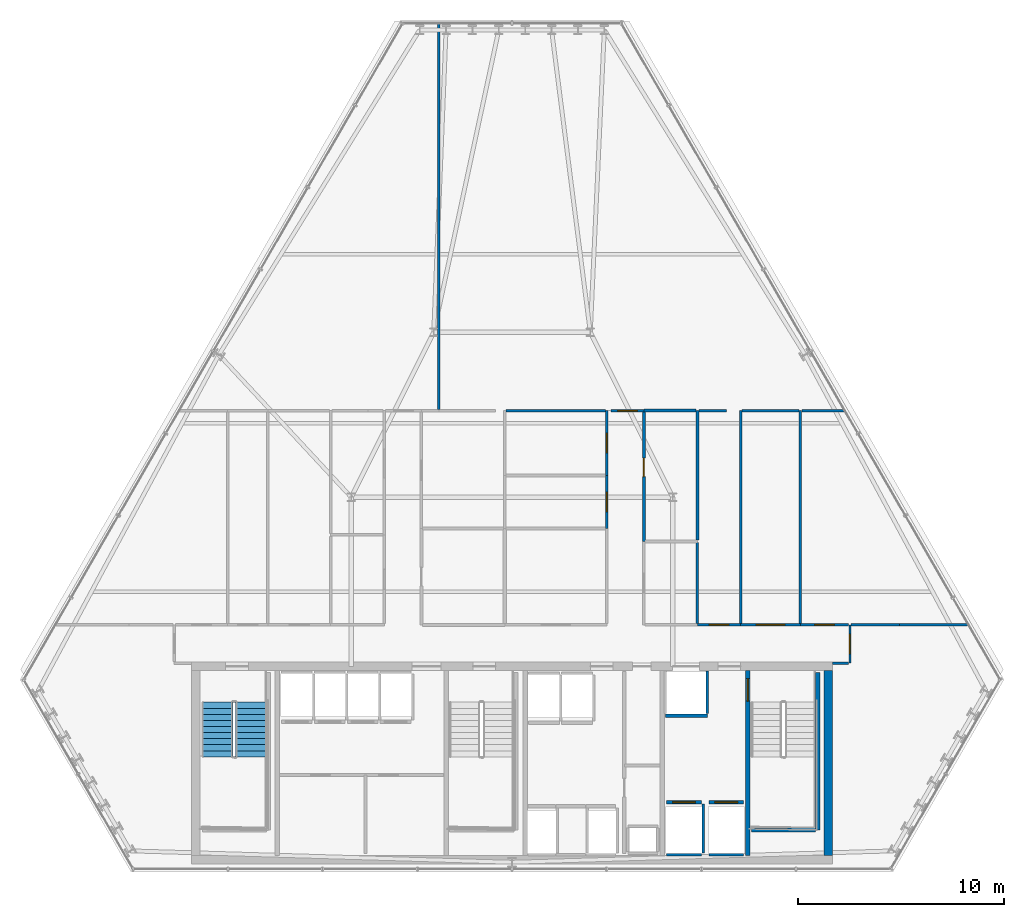
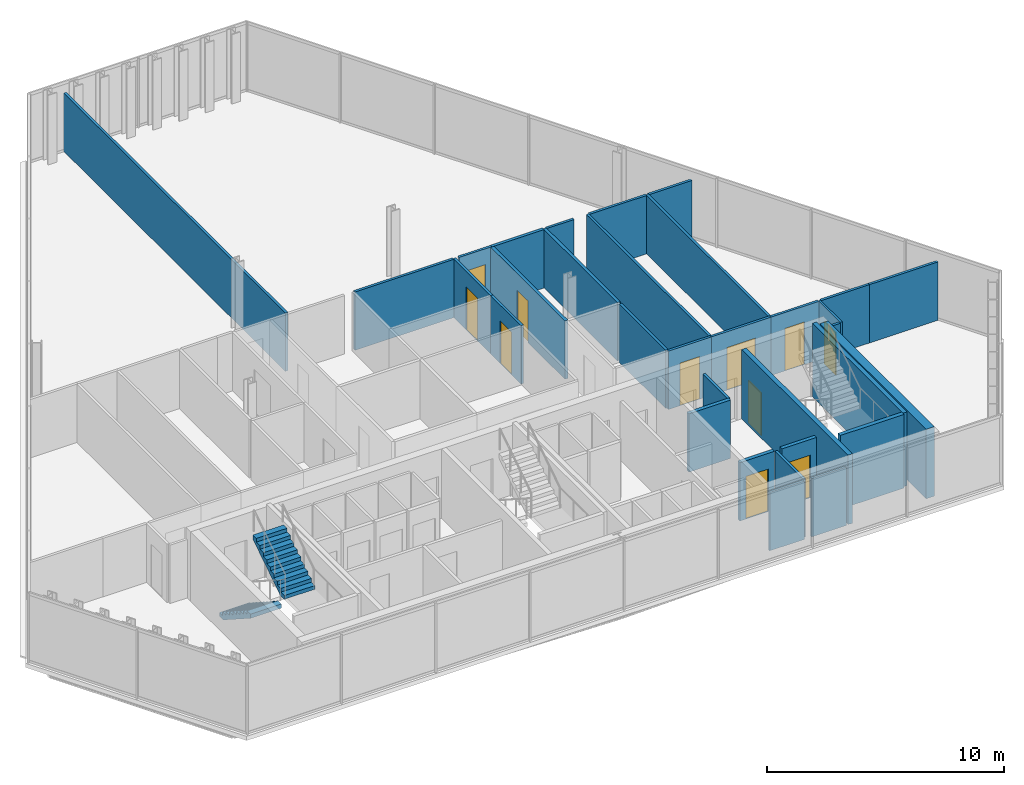
# One storey, part 29 of 33: 32 walls, 11 doors, 2 stair flights, 11 openings, 1 element without a shape of its own.
"""IFC4 building model written with IfcOpenShell, lengths in metres."""

from ifc_helpers import new_model, si_unit, direction, frame, frame_2d, origin, place, context, subcontext, project, spatial, polyline, rectangle, outline, extrude, material, layer, layer_set, type_object, element, fill, aggregate, save


model = new_model("IFC4")

# Units and contexts
model_context = context("Model", 3, precision=1e-05, world=origin(), true_north=direction((0.0, 1.0)))
body_context = subcontext(model_context, "Body", "Model", "MODEL_VIEW")
ifc_project = project(units=[si_unit("LENGTHUNIT", "METRE"), si_unit("AREAUNIT", "SQUARE_METRE"), si_unit("VOLUMEUNIT", "CUBIC_METRE"), si_unit("PLANEANGLEUNIT", "RADIAN"), si_unit("MASSUNIT", "GRAM", prefix="KILO")], contexts=[model_context])

# Site, building, storey
site_placement = place(None, origin())
site = spatial("IfcSite", under=ifc_project, at=site_placement, CompositionType="ELEMENT")
building_placement = place(site_placement, origin())
building = spatial("IfcBuilding", under=site, at=building_placement, Name="Ndaravel Arena Tower", CompositionType="ELEMENT")
storey_placement = place(building_placement, frame((0.0, 0.0, 161.199951171875)))
storey = spatial("IfcBuildingStorey", under=building, at=storey_placement, Name="L38", CompositionType="ELEMENT", Elevation=161.199951171875)

# Wall, opening, door
ifc_material_1 = material(Name="Concrete C50/60", Category="concrete")
ifc_layer_1 = layer(ifc_material_1, 0.219970703125)
ifc_layer_set_1 = layer_set([ifc_layer_1], Name="Concrete C50/60")
wall_type_1 = type_object("IfcWallType", Name="WALL-CORE-220", PredefinedType="SOLIDWALL", material=ifc_layer_set_1)
wall_1_placement = place(storey_placement, frame((53.449951171875, 5.800048828125, 0.0), z_axis=(0.0, 0.0, 1.0), x_axis=(0.0, 1.0, 0.0)))
wall_1 = element("IfcWall", 1, at=wall_1_placement, inside=storey, type_object=wall_type_1, Name="L38 Core Web Shear Wall 5", PredefinedType="SOLIDWALL", context=body_context, shape_type="SweptSolid", body=[
    extrude(rectangle(XDim=9.0, YDim=0.219970703125, at=frame_2d((4.5, 0.0))), origin(), (0.0, 0.0, 1.0), 3.580078125),
])
opening_1_placement = place(wall_1_placement, frame((7.5, 0.0, 0.0)))
opening_1 = element("IfcOpeningElement", 2, at=opening_1_placement, cuts=wall_1, Name="Opening FD-01", PredefinedType="OPENING", context=body_context, shape_type="SweptSolid", body=[
    extrude(rectangle(XDim=1.10009765625, YDim=2.199951171875, at=frame_2d((0.550048828125, 1.10009765625))), frame((0.0, 0.10986328125, 0.0), z_axis=(0.0, -1.0, 0.0), x_axis=(1.0, 0.0, 0.0)), (0.0, 0.0, 1.0), 0.219970703125),
])
ifc_material_2 = material(Name="Steel S355", Category="steel")
door_type_1 = type_object("IfcDoorType", Name="DT-01-STAIR-1100", OperationType="SINGLE_SWING_LEFT", PredefinedType="DOOR", material=ifc_material_2)
door_1_placement = place(opening_1_placement, origin())
door_1 = element("IfcDoor", 3, at=door_1_placement, inside=storey, type_object=door_type_1, Name="L38 Firefighting Lobby to ST-3 Door", OperationType="SINGLE_SWING_LEFT", OverallHeight=2.199951171875, OverallWidth=1.10009765625, PredefinedType="DOOR", context=body_context, shape_type="SweptSolid", body=[
    extrude(rectangle(XDim=1.10009765625, YDim=2.199951171875, at=frame_2d((0.550048828125, 1.10009765625))), frame((0.0, 0.02490234375, 0.0), z_axis=(0.0, -1.0, 0.0), x_axis=(1.0, 0.0, 0.0)), (0.0, 0.0, 1.0), 0.050048828125),
])
fill(opening_1, door_1)

# Wall
ifc_material_3 = material(Name="Concrete C50/60", Category="concrete")
ifc_layer_2 = layer(ifc_material_3, 0.39990234375)
ifc_layer_set_2 = layer_set([ifc_layer_2], Name="Concrete C50/60")
wall_type_2 = type_object("IfcWallType", Name="WALL-CORE-400", PredefinedType="SOLIDWALL", material=ifc_layer_set_2)
wall_2_placement = place(storey_placement, frame((57.35009765625, 5.800048828125, 0.0), z_axis=(0.0, 0.0, 1.0), x_axis=(0.0, 1.0, 0.0)))
element("IfcWall", 4, at=wall_2_placement, inside=storey, type_object=wall_type_2, Name="L38 Core East Shear Wall", PredefinedType="SOLIDWALL", context=body_context, shape_type="SweptSolid", body=[
    extrude(rectangle(XDim=9.0, YDim=0.39990234375, at=frame_2d((4.5, 0.0))), origin(), (0.0, 0.0, 1.0), 3.580078125),
])

# Wall, opening, door
ifc_material_4 = material(Name="Timber", Category="wood")
ifc_layer_3 = layer(ifc_material_4, 0.10009765625)
ifc_layer_set_3 = layer_set([ifc_layer_3], Name="Timber")
wall_type_3 = type_object("IfcWallType", Name="WALL-MOVABLE-100", PredefinedType="MOVABLE", material=ifc_layer_set_3)
wall_3_placement = place(storey_placement, frame((58.39990234375, 17.0, 0.0), z_axis=(0.0, 0.0, 1.0), x_axis=(0.0, -1.0, 0.0)))
wall_3 = element("IfcWall", 5, at=wall_3_placement, inside=storey, type_object=wall_type_3, Name="L38 Interior Partition 001", PredefinedType="MOVABLE", context=body_context, shape_type="SweptSolid", body=[
    extrude(rectangle(XDim=1.85009765625, YDim=0.10009765625, at=frame_2d((0.925048828125, 0.0))), origin(), (0.0, 0.0, 1.0), 3.010498046875),
])
opening_2_placement = place(wall_3_placement, frame((0.449951171875, 0.0, 0.0)))
opening_2 = element("IfcOpeningElement", 6, at=opening_2_placement, cuts=wall_3, Name="Opening ID-01", PredefinedType="OPENING", context=body_context, shape_type="SweptSolid", body=[
    extrude(rectangle(XDim=0.949951171875, YDim=2.199951171875, at=frame_2d((0.47509765625, 1.10009765625))), frame((0.0, 0.050048828125, 0.0), z_axis=(0.0, -1.0, 0.0), x_axis=(1.0, 0.0, 0.0)), (0.0, 0.0, 1.0), 0.10009765625),
])
ifc_material_5 = material(Name="Timber", Category="wood")
door_type_2 = type_object("IfcDoorType", Name="DT-03-OFFICE-950", OperationType="SINGLE_SWING_LEFT", PredefinedType="DOOR", material=ifc_material_5)
door_2_placement = place(opening_2_placement, origin())
door_2 = element("IfcDoor", 7, at=door_2_placement, inside=storey, type_object=door_type_2, Name="L38 Staff Wellness Clinic Door", OperationType="SINGLE_SWING_RIGHT", OverallHeight=2.199951171875, OverallWidth=0.949951171875, PredefinedType="DOOR", context=body_context, shape_type="SweptSolid", body=[
    extrude(rectangle(XDim=0.949951171875, YDim=2.199951171875, at=frame_2d((0.47509765625, 1.10009765625))), frame((0.0, 0.02490234375, 0.0), z_axis=(0.0, -1.0, 0.0), x_axis=(1.0, 0.0, 0.0)), (0.0, 0.0, 1.0), 0.050048828125),
])
fill(opening_2, door_2)

# Wall
ifc_material_6 = material(Name="Gypsum", Category="gypsum")
ifc_layer_4 = layer(ifc_material_6, 0.125)
ifc_layer_set_4 = layer_set([ifc_layer_4], Name="Gypsum")
wall_type_4 = type_object("IfcWallType", Name="WALL-PART-125", PredefinedType="PARTITIONING", material=ifc_layer_set_4)
wall_4_placement = place(storey_placement, frame((58.3349609375, 15.14990234375, 0.0), z_axis=(0.0, 0.0, 1.0), x_axis=(-1.0, 0.0, 0.0)))
element("IfcWall", 8, at=wall_4_placement, inside=storey, type_object=wall_type_4, Name="L38 Interior Partition 002", PredefinedType="PARTITIONING", context=body_context, shape_type="SweptSolid", body=[
    extrude(rectangle(XDim=0.784912109375, YDim=0.125, at=frame_2d((0.392578125, 0.0))), origin(), (0.0, 0.0, 1.0), 3.010498046875),
])

# Wall, opening, door
wall_5_placement = place(storey_placement, frame((46.60009765625, 21.679931640625, 0.0), z_axis=(0.0, 0.0, 1.0), x_axis=(0.0, 1.0, 0.0)))
wall_5 = element("IfcWall", 9, at=wall_5_placement, inside=storey, type_object=wall_type_4, Name="L38 Interior Partition 017", PredefinedType="PARTITIONING", context=body_context, shape_type="SweptSolid", body=[
    extrude(rectangle(XDim=2.573974609375, YDim=0.125, at=frame_2d((1.287109375, 0.0))), origin(), (0.0, 0.0, 1.0), 3.010498046875),
])
opening_3_placement = place(wall_5_placement, frame((0.81201171875, 0.0, 0.0)))
opening_3 = element("IfcOpeningElement", 10, at=opening_3_placement, cuts=wall_5, Name="Opening ID-01", PredefinedType="OPENING", context=body_context, shape_type="SweptSolid", body=[
    extrude(rectangle(XDim=0.949951171875, YDim=2.199951171875, at=frame_2d((0.47509765625, 1.10009765625))), frame((0.0, 0.0625, 0.0), z_axis=(0.0, -1.0, 0.0), x_axis=(1.0, 0.0, 0.0)), (0.0, 0.0, 1.0), 0.125),
])
door_3_placement = place(opening_3_placement, origin())
door_3 = element("IfcDoor", 11, at=door_3_placement, inside=storey, type_object=door_type_2, Name="L38 Staff Wellness Clinic 5 Door", OperationType="SINGLE_SWING_LEFT", OverallHeight=2.199951171875, OverallWidth=0.949951171875, PredefinedType="DOOR", context=body_context, shape_type="SweptSolid", body=[
    extrude(rectangle(XDim=0.949951171875, YDim=2.199951171875, at=frame_2d((0.47509765625, 1.10009765625))), frame((0.0, 0.02490234375, 0.0), z_axis=(0.0, -1.0, 0.0), x_axis=(1.0, 0.0, 0.0)), (0.0, 0.0, 1.0), 0.050048828125),
])
fill(opening_3, door_3)

wall_6_placement = place(storey_placement, frame((46.60009765625, 24.25390625, 0.0), z_axis=(0.0, 0.0, 1.0), x_axis=(0.0, 1.0, 0.0)))
wall_6 = element("IfcWall", 12, at=wall_6_placement, inside=storey, type_object=wall_type_4, Name="L38 Interior Partition 018", PredefinedType="PARTITIONING", context=body_context, shape_type="SweptSolid", body=[
    extrude(rectangle(XDim=3.14599609375, YDim=0.125, at=frame_2d((1.572998046875, 0.0))), origin(), (0.0, 0.0, 1.0), 3.010498046875),
])
opening_4_placement = place(wall_6_placement, frame((1.097900390625, 0.0, 0.0)))
opening_4 = element("IfcOpeningElement", 13, at=opening_4_placement, cuts=wall_6, Name="Opening ID-01", PredefinedType="OPENING", context=body_context, shape_type="SweptSolid", body=[
    extrude(rectangle(XDim=0.949951171875, YDim=2.199951171875, at=frame_2d((0.47509765625, 1.10009765625))), frame((0.0, 0.0625, 0.0), z_axis=(0.0, -1.0, 0.0), x_axis=(1.0, 0.0, 0.0)), (0.0, 0.0, 1.0), 0.125),
])
door_4_placement = place(opening_4_placement, origin())
door_4 = element("IfcDoor", 14, at=door_4_placement, inside=storey, type_object=door_type_2, Name="L38 Project Seminar Room 7 Door", OperationType="SINGLE_SWING_LEFT", OverallHeight=2.199951171875, OverallWidth=0.949951171875, PredefinedType="DOOR", context=body_context, shape_type="SweptSolid", body=[
    extrude(rectangle(XDim=0.949951171875, YDim=2.199951171875, at=frame_2d((0.47509765625, 1.10009765625))), frame((0.0, 0.02490234375, 0.0), z_axis=(0.0, -1.0, 0.0), x_axis=(1.0, 0.0, 0.0)), (0.0, 0.0, 1.0), 0.050048828125),
])
fill(opening_4, door_4)

wall_7_placement = place(storey_placement, frame((46.800048828125, 27.39990234375, 0.0), z_axis=(0.0, 0.0, 1.0), x_axis=(1.0, 0.0, 0.0)))
wall_7 = element("IfcWall", 15, at=wall_7_placement, inside=storey, type_object=wall_type_4, Name="L38 Interior Partition 019", PredefinedType="PARTITIONING", context=body_context, shape_type="SweptSolid", body=[
    extrude(rectangle(XDim=1.599853515625, YDim=0.125, at=frame_2d((0.7998046875, 0.0))), origin(), (0.0, 0.0, 1.0), 3.010498046875),
])
opening_5_placement = place(wall_7_placement, frame((0.324951171875, 0.0, 0.0)))
opening_5 = element("IfcOpeningElement", 16, at=opening_5_placement, cuts=wall_7, Name="Opening ID-01", PredefinedType="OPENING", context=body_context, shape_type="SweptSolid", body=[
    extrude(rectangle(XDim=0.949951171875, YDim=2.199951171875, at=frame_2d((0.47509765625, 1.10009765625))), frame((0.0, 0.0625, 0.0), z_axis=(0.0, -1.0, 0.0), x_axis=(1.0, 0.0, 0.0)), (0.0, 0.0, 1.0), 0.125),
])
door_5_placement = place(opening_5_placement, origin())
door_5 = element("IfcDoor", 17, at=door_5_placement, inside=storey, type_object=door_type_2, Name="L38 Training Classroom 8 Door", OperationType="SINGLE_SWING_LEFT", OverallHeight=2.199951171875, OverallWidth=0.949951171875, PredefinedType="DOOR", context=body_context, shape_type="SweptSolid", body=[
    extrude(rectangle(XDim=0.949951171875, YDim=2.199951171875, at=frame_2d((0.47509765625, 1.10009765625))), frame((0.0, 0.02490234375, 0.0), z_axis=(0.0, -1.0, 0.0), x_axis=(1.0, 0.0, 0.0)), (0.0, 0.0, 1.0), 0.050048828125),
])
fill(opening_5, door_5)

wall_8_placement = place(storey_placement, frame((51.0, 17.0, 0.0), z_axis=(0.0, 0.0, 1.0), x_axis=(1.0, 0.0, 0.0)))
wall_8 = element("IfcWall", 18, at=wall_8_placement, inside=storey, type_object=wall_type_4, Name="L38 Interior Partition 023", PredefinedType="PARTITIONING", context=body_context, shape_type="SweptSolid", body=[
    extrude(rectangle(XDim=2.10009765625, YDim=0.125, at=frame_2d((1.050048828125, 0.0))), origin(), (0.0, 0.0, 1.0), 3.010498046875),
])
opening_6_placement = place(wall_8_placement, frame((0.574951171875, 0.0, 0.0)))
opening_6 = element("IfcOpeningElement", 19, at=opening_6_placement, cuts=wall_8, Name="Opening ID-01", PredefinedType="OPENING", context=body_context, shape_type="SweptSolid", body=[
    extrude(rectangle(XDim=0.949951171875, YDim=2.199951171875, at=frame_2d((0.47509765625, 1.10009765625))), frame((0.0, 0.0625, 0.0), z_axis=(0.0, -1.0, 0.0), x_axis=(1.0, 0.0, 0.0)), (0.0, 0.0, 1.0), 0.125),
])
door_6_placement = place(opening_6_placement, origin())
door_6 = element("IfcDoor", 20, at=door_6_placement, inside=storey, type_object=door_type_2, Name="L38 Physio Therapy Room 4 Door", OperationType="SINGLE_SWING_LEFT", OverallHeight=2.199951171875, OverallWidth=0.949951171875, PredefinedType="DOOR", context=body_context, shape_type="SweptSolid", body=[
    extrude(rectangle(XDim=0.949951171875, YDim=2.199951171875, at=frame_2d((0.47509765625, 1.10009765625))), frame((0.0, 0.02490234375, 0.0), z_axis=(0.0, -1.0, 0.0), x_axis=(1.0, 0.0, 0.0)), (0.0, 0.0, 1.0), 0.050048828125),
])
fill(opening_6, door_6)

wall_9_placement = place(storey_placement, frame((53.10009765625, 17.0, 0.0), z_axis=(0.0, 0.0, 1.0), x_axis=(1.0, 0.0, 0.0)))
wall_9 = element("IfcWall", 21, at=wall_9_placement, inside=storey, type_object=wall_type_4, Name="L38 Interior Partition 024", PredefinedType="PARTITIONING", context=body_context, shape_type="SweptSolid", body=[
    extrude(rectangle(XDim=2.89990234375, YDim=0.125, at=frame_2d((1.449951171875, 0.0))), origin(), (0.0, 0.0, 1.0), 3.010498046875),
])
opening_7_placement = place(wall_9_placement, frame((0.75, 0.0, 0.0)))
opening_7 = element("IfcOpeningElement", 22, at=opening_7_placement, cuts=wall_9, Name="Opening ID-02", PredefinedType="OPENING", context=body_context, shape_type="SweptSolid", body=[
    extrude(rectangle(XDim=1.39990234375, YDim=2.199951171875, at=frame_2d((0.699951171875, 1.10009765625))), frame((0.0, 0.0625, 0.0), z_axis=(0.0, -1.0, 0.0), x_axis=(1.0, 0.0, 0.0)), (0.0, 0.0, 1.0), 0.125),
])
ifc_material_7 = material(Name="Timber", Category="wood")
door_type_3 = type_object("IfcDoorType", Name="DT-04-SUITE-1400", OperationType="DOUBLE_DOOR_SINGLE_SWING", PredefinedType="DOOR", material=ifc_material_7)
door_7_placement = place(opening_7_placement, origin())
door_7 = element("IfcDoor", 23, at=door_7_placement, inside=storey, type_object=door_type_3, Name="L38 Executive Boardroom 5 Door", OperationType="SINGLE_SWING_RIGHT", OverallHeight=2.199951171875, OverallWidth=1.39990234375, PredefinedType="DOOR", context=body_context, shape_type="SweptSolid", body=[
    extrude(rectangle(XDim=1.39990234375, YDim=2.199951171875, at=frame_2d((0.699951171875, 1.10009765625))), frame((0.0, 0.02490234375, 0.0), z_axis=(0.0, -1.0, 0.0), x_axis=(1.0, 0.0, 0.0)), (0.0, 0.0, 1.0), 0.050048828125),
])
fill(opening_7, door_7)

wall_10_placement = place(storey_placement, frame((56.0, 17.0, 0.0), z_axis=(0.0, 0.0, 1.0), x_axis=(1.0, 0.0, 0.0)))
wall_10 = element("IfcWall", 24, at=wall_10_placement, inside=storey, type_object=wall_type_4, Name="L38 Interior Partition 025", PredefinedType="PARTITIONING", context=body_context, shape_type="SweptSolid", body=[
    extrude(rectangle(XDim=2.3349609375, YDim=0.125, at=frame_2d((1.16748046875, 0.0))), origin(), (0.0, 0.0, 1.0), 3.010498046875),
])
opening_8_placement = place(wall_10_placement, frame((0.6923828125, 0.0, 0.0)))
opening_8 = element("IfcOpeningElement", 25, at=opening_8_placement, cuts=wall_10, Name="Opening ID-01", PredefinedType="OPENING", context=body_context, shape_type="SweptSolid", body=[
    extrude(rectangle(XDim=0.949951171875, YDim=2.199951171875, at=frame_2d((0.47509765625, 1.10009765625))), frame((0.0, 0.0625, 0.0), z_axis=(0.0, -1.0, 0.0), x_axis=(1.0, 0.0, 0.0)), (0.0, 0.0, 1.0), 0.125),
])
door_8_placement = place(opening_8_placement, origin())
door_8 = element("IfcDoor", 26, at=door_8_placement, inside=storey, type_object=door_type_2, Name="L38 Project Seminar Room 3 Door", OperationType="SINGLE_SWING_LEFT", OverallHeight=2.199951171875, OverallWidth=0.949951171875, PredefinedType="DOOR", context=body_context, shape_type="SweptSolid", body=[
    extrude(rectangle(XDim=0.949951171875, YDim=2.199951171875, at=frame_2d((0.47509765625, 1.10009765625))), frame((0.0, 0.02490234375, 0.0), z_axis=(0.0, -1.0, 0.0), x_axis=(1.0, 0.0, 0.0)), (0.0, 0.0, 1.0), 0.050048828125),
])
fill(opening_8, door_8)

# Walls
wall_11_placement = place(storey_placement, frame((58.465087890625, 17.0, 0.0), z_axis=(0.0, 0.0, 1.0), x_axis=(1.0, 0.0, 0.0)))
element("IfcWall", 27, at=wall_11_placement, inside=storey, type_object=wall_type_4, Name="L38 Interior Partition 028", PredefinedType="PARTITIONING", context=body_context, shape_type="SweptSolid", body=[
    extrude(rectangle(XDim=2.3349609375, YDim=0.125, at=frame_2d((1.16748046875, 0.0))), origin(), (0.0, 0.0, 1.0), 3.010498046875),
])
wall_12_placement = place(storey_placement, frame((60.800048828125, 17.0, 0.0), z_axis=(0.0, 0.0, 1.0), x_axis=(1.0, 0.0, 0.0)))
element("IfcWall", 28, at=wall_12_placement, inside=storey, type_object=wall_type_4, Name="L38 Interior Partition 029", PredefinedType="PARTITIONING", context=body_context, shape_type="SweptSolid", body=[
    extrude(rectangle(XDim=3.364501953125, YDim=0.125, at=frame_2d((1.68212890625, 0.0))), origin(), (0.0, 0.0, 1.0), 3.010498046875),
])
wall_13_placement = place(storey_placement, frame((51.0, 20.990966796875, 0.0), z_axis=(0.0, 0.0, 1.0), x_axis=(0.0, -1.0, 0.0)))
element("IfcWall", 29, at=wall_13_placement, inside=storey, type_object=wall_type_4, Name="L38 Interior Partition 031", PredefinedType="PARTITIONING", context=body_context, shape_type="SweptSolid", body=[
    extrude(rectangle(XDim=3.926025390625, YDim=0.125, at=frame_2d((1.962890625, 0.0))), origin(), (0.0, 0.0, 1.0), 3.010498046875),
])
wall_14_placement = place(storey_placement, frame((56.0, 17.06494140625, 0.0), z_axis=(0.0, 0.0, 1.0), x_axis=(0.0, 1.0, 0.0)))
element("IfcWall", 30, at=wall_14_placement, inside=storey, type_object=wall_type_4, Name="L38 Interior Partition 037", PredefinedType="PARTITIONING", context=body_context, shape_type="SweptSolid", body=[
    extrude(rectangle(XDim=10.3349609375, YDim=0.125, at=frame_2d((5.16748046875, 0.0))), origin(), (0.0, 0.0, 1.0), 3.010498046875),
])
wall_15_placement = place(storey_placement, frame((56.06494140625, 27.39990234375, 0.0), z_axis=(0.0, 0.0, 1.0), x_axis=(1.0, 0.0, 0.0)))
element("IfcWall", 31, at=wall_15_placement, inside=storey, type_object=wall_type_4, Name="L38 Interior Partition 038", PredefinedType="PARTITIONING", context=body_context, shape_type="SweptSolid", body=[
    extrude(rectangle(XDim=2.09521484375, YDim=0.125, at=frame_2d((1.047607421875, 0.0))), origin(), (0.0, 0.0, 1.0), 3.010498046875),
])
wall_16_placement = place(storey_placement, frame((51.06494140625, 27.39990234375, 0.0), z_axis=(0.0, 0.0, 1.0), x_axis=(1.0, 0.0, 0.0)))
element("IfcWall", 32, at=wall_16_placement, inside=storey, type_object=wall_type_4, Name="L38 Interior Partition 046", PredefinedType="PARTITIONING", context=body_context, shape_type="SweptSolid", body=[
    extrude(rectangle(XDim=1.3349609375, YDim=0.125, at=frame_2d((0.66748046875, 0.0))), origin(), (0.0, 0.0, 1.0), 3.010498046875),
])
wall_17_placement = place(storey_placement, frame((53.10009765625, 27.39990234375, 0.0), z_axis=(0.0, 0.0, 1.0), x_axis=(0.0, -1.0, 0.0)))
element("IfcWall", 33, at=wall_17_placement, inside=storey, type_object=wall_type_4, Name="L38 Interior Partition 047", PredefinedType="PARTITIONING", context=body_context, shape_type="SweptSolid", body=[
    extrude(rectangle(XDim=10.3349609375, YDim=0.125, at=frame_2d((5.16748046875, 0.0))), origin(), (0.0, 0.0, 1.0), 3.010498046875),
])
wall_18_placement = place(storey_placement, frame((53.1650390625, 27.39990234375, 0.0), z_axis=(0.0, 0.0, 1.0), x_axis=(1.0, 0.0, 0.0)))
element("IfcWall", 34, at=wall_18_placement, inside=storey, type_object=wall_type_4, Name="L38 Interior Partition 048", PredefinedType="PARTITIONING", context=body_context, shape_type="SweptSolid", body=[
    extrude(rectangle(XDim=2.77001953125, YDim=0.125, at=frame_2d((1.385009765625, 0.0))), origin(), (0.0, 0.0, 1.0), 3.010498046875),
])
wall_19_placement = place(storey_placement, frame((41.715087890625, 27.39990234375, 0.0), z_axis=(0.0, 0.0, 1.0), x_axis=(1.0, 0.0, 0.0)))
element("IfcWall", 35, at=wall_19_placement, inside=storey, type_object=wall_type_4, Name="L38 Interior Partition 057", PredefinedType="PARTITIONING", context=body_context, shape_type="SweptSolid", body=[
    extrude(rectangle(XDim=4.81982421875, YDim=0.125, at=frame_2d((2.409912109375, 0.0))), origin(), (0.0, 0.0, 1.0), 3.010498046875),
])
wall_20_placement = place(storey_placement, frame((38.44482421875, 46.20166015625, 0.0), z_axis=(0.0, 0.0, 1.0), x_axis=(0.0, -1.0, 0.0)))
element("IfcWall", 36, at=wall_20_placement, inside=storey, type_object=wall_type_4, Name="L38 Interior Partition 058", PredefinedType="PARTITIONING", context=body_context, shape_type="SweptSolid", body=[
    extrude(rectangle(XDim=18.736572265625, YDim=0.125, at=frame_2d((9.3681640625, 0.0))), origin(), (0.0, 0.0, 1.0), 3.010498046875),
])
ifc_material_8 = material(Name="Concrete C40/50", Category="concrete")
ifc_layer_5 = layer(ifc_material_8, 0.1201171875)
ifc_layer_set_5 = layer_set([ifc_layer_5], Name="Concrete C40/50")
wall_type_5 = type_object("IfcWallType", Name="WALL-SHAFT-120", PredefinedType="SOLIDWALL", material=ifc_layer_set_5)
wall_21_placement = place(storey_placement, frame((49.5048828125, 5.840087890625, 0.0), z_axis=(0.0, 0.0, 1.0), x_axis=(1.0, 0.0, 0.0)))
element("IfcWall", 37, at=wall_21_placement, inside=storey, type_object=wall_type_5, Name="L38 FFL-1 Shaft Rear Wall", PredefinedType="SOLIDWALL", context=body_context, shape_type="SweptSolid", body=[
    extrude(rectangle(XDim=1.690185546875, YDim=0.1201171875, at=frame_2d((0.84521484375, 0.0))), origin(), (0.0, 0.0, 1.0), 3.010498046875),
])
wall_22_placement = place(storey_placement, frame((51.27490234375, 5.929931640625, 0.0), z_axis=(0.0, 0.0, 1.0), x_axis=(0.0, 1.0, 0.0)))
element("IfcWall", 38, at=wall_22_placement, inside=storey, type_object=wall_type_5, Name="L38 FFL-1 Shaft Side R Wall", PredefinedType="SOLIDWALL", context=body_context, shape_type="SweptSolid", body=[
    extrude(rectangle(XDim=2.380126953125, YDim=0.1201171875, at=frame_2d((1.18994140625, 0.0))), origin(), (0.0, 0.0, 1.0), 3.010498046875),
])
wall_23_placement = place(storey_placement, frame((51.554931640625, 5.840087890625, 0.0), z_axis=(0.0, 0.0, 1.0), x_axis=(1.0, 0.0, 0.0)))
element("IfcWall", 39, at=wall_23_placement, inside=storey, type_object=wall_type_5, Name="L38 FFL-2 Shaft Rear Wall", PredefinedType="SOLIDWALL", context=body_context, shape_type="SweptSolid", body=[
    extrude(rectangle(XDim=1.690185546875, YDim=0.1201171875, at=frame_2d((0.84521484375, 0.0))), origin(), (0.0, 0.0, 1.0), 3.010498046875),
])
wall_24_placement = place(storey_placement, frame((51.47998046875, 12.68994140625, 0.0), z_axis=(0.0, 0.0, 1.0), x_axis=(0.0, 1.0, 0.0)))
element("IfcWall", 40, at=wall_24_placement, inside=storey, type_object=wall_type_5, Name="L38 SVL-1 Shaft E Wall", PredefinedType="SOLIDWALL", context=body_context, shape_type="SweptSolid", body=[
    extrude(rectangle(XDim=2.070068359375, YDim=0.1201171875, at=frame_2d((1.03515625, 0.0))), origin(), (0.0, 0.0, 1.0), 3.010498046875),
])
ifc_material_9 = material(Name="Concrete C40/50", Category="concrete")
ifc_layer_6 = layer(ifc_material_9, 0.199951171875)
ifc_layer_set_6 = layer_set([ifc_layer_6], Name="Concrete C40/50")
wall_type_6 = type_object("IfcWallType", Name="WALL-SHAFT-200", PredefinedType="SOLIDWALL", material=ifc_layer_set_6)
wall_25_placement = place(storey_placement, frame((56.840087890625, 14.699951171875, 0.0), z_axis=(0.0, 0.0, 1.0), x_axis=(0.0, -1.0, 0.0)))
element("IfcWall", 41, at=wall_25_placement, inside=storey, type_object=wall_type_6, Name="L38 ST-3 Structural Shaft Wall Right", PredefinedType="SOLIDWALL", context=body_context, shape_type="SweptSolid", body=[
    extrude(rectangle(XDim=7.64990234375, YDim=0.199951171875, at=frame_2d((3.824951171875, 0.0))), origin(), (0.0, 0.0, 1.0), 3.800048828125),
])
wall_26_placement = place(storey_placement, frame((53.6201171875, 7.050048828125, 0.0), z_axis=(0.0, 0.0, 1.0), x_axis=(1.0, 0.0, 0.0)))
element("IfcWall", 42, at=wall_26_placement, inside=storey, type_object=wall_type_6, Name="L38 ST-3 Structural Shaft Wall Far", PredefinedType="SOLIDWALL", context=body_context, shape_type="SweptSolid", body=[
    extrude(rectangle(XDim=3.114990234375, YDim=0.199951171875, at=frame_2d((1.5576171875, 0.0))), origin(), (0.0, 0.0, 1.0), 3.800048828125),
])

# Wall, opening, door
wall_27_placement = place(storey_placement, frame((49.5048828125, 8.39990234375, 0.0), z_axis=(0.0, 0.0, 1.0), x_axis=(1.0, 0.0, 0.0)))
wall_27 = element("IfcWall", 43, at=wall_27_placement, inside=storey, type_object=wall_type_6, Name="L38 FFL-1 Shaft Landing Wall", PredefinedType="SOLIDWALL", context=body_context, shape_type="SweptSolid", body=[
    extrude(rectangle(XDim=1.690185546875, YDim=0.179931640625, at=frame_2d((0.84521484375, 0.0))), origin(), (0.0, 0.0, 1.0), 3.010498046875),
])
opening_9_placement = place(wall_27_placement, frame((0.294921875, 0.0, 0.0)))
opening_9 = element("IfcOpeningElement", 44, at=opening_9_placement, cuts=wall_27, Name="Opening LD-01", PredefinedType="OPENING", context=body_context, shape_type="SweptSolid", body=[
    extrude(rectangle(XDim=1.10009765625, YDim=2.199951171875, at=frame_2d((0.550048828125, 1.10009765625))), frame((0.0, 0.08984375, 0.0), z_axis=(0.0, -1.0, 0.0), x_axis=(1.0, 0.0, 0.0)), (0.0, 0.0, 1.0), 0.179931640625),
])
ifc_material_10 = material(Name="Steel S355", Category="steel")
door_type_4 = type_object("IfcDoorType", Name="DT-06-LIFT-1100", OperationType="SLIDING_TO_LEFT", PredefinedType="DOOR", material=ifc_material_10)
door_9_placement = place(opening_9_placement, origin())
door_9 = element("IfcDoor", 45, at=door_9_placement, inside=storey, type_object=door_type_4, Name="L38 Lift FFL-1 Sliding Landing Door", OperationType="SLIDING_TO_LEFT", OverallHeight=2.199951171875, OverallWidth=1.10009765625, PredefinedType="DOOR", context=body_context, shape_type="SweptSolid", body=[
    extrude(rectangle(XDim=1.10009765625, YDim=2.199951171875, at=frame_2d((0.550048828125, 1.10009765625))), frame((0.0, 0.02490234375, 0.0), z_axis=(0.0, -1.0, 0.0), x_axis=(1.0, 0.0, 0.0)), (0.0, 0.0, 1.0), 0.050048828125),
])
fill(opening_9, door_9)

wall_28_placement = place(storey_placement, frame((51.554931640625, 8.39990234375, 0.0), z_axis=(0.0, 0.0, 1.0), x_axis=(1.0, 0.0, 0.0)))
wall_28 = element("IfcWall", 46, at=wall_28_placement, inside=storey, type_object=wall_type_6, Name="L38 FFL-2 Shaft Landing Wall", PredefinedType="SOLIDWALL", context=body_context, shape_type="SweptSolid", body=[
    extrude(rectangle(XDim=1.690185546875, YDim=0.179931640625, at=frame_2d((0.84521484375, 0.0))), origin(), (0.0, 0.0, 1.0), 3.010498046875),
])
opening_10_placement = place(wall_28_placement, frame((0.294921875, 0.0, 0.0)))
opening_10 = element("IfcOpeningElement", 47, at=opening_10_placement, cuts=wall_28, Name="Opening LD-01", PredefinedType="OPENING", context=body_context, shape_type="SweptSolid", body=[
    extrude(rectangle(XDim=1.10009765625, YDim=2.199951171875, at=frame_2d((0.550048828125, 1.10009765625))), frame((0.0, 0.08984375, 0.0), z_axis=(0.0, -1.0, 0.0), x_axis=(1.0, 0.0, 0.0)), (0.0, 0.0, 1.0), 0.179931640625),
])
door_10_placement = place(opening_10_placement, origin())
door_10 = element("IfcDoor", 48, at=door_10_placement, inside=storey, type_object=door_type_4, Name="L38 Lift FFL-2 Sliding Landing Door", OperationType="SLIDING_TO_LEFT", OverallHeight=2.199951171875, OverallWidth=1.10009765625, PredefinedType="DOOR", context=body_context, shape_type="SweptSolid", body=[
    extrude(rectangle(XDim=1.10009765625, YDim=2.199951171875, at=frame_2d((0.550048828125, 1.10009765625))), frame((0.0, 0.02490234375, 0.0), z_axis=(0.0, -1.0, 0.0), x_axis=(1.0, 0.0, 0.0)), (0.0, 0.0, 1.0), 0.050048828125),
])
fill(opening_10, door_10)

# Wall
wall_29_placement = place(storey_placement, frame((49.43994140625, 12.594970703125, 0.0), z_axis=(0.0, 0.0, 1.0), x_axis=(1.0, 0.0, 0.0)))
element("IfcWall", 49, at=wall_29_placement, inside=storey, type_object=wall_type_6, Name="L38 SVL-1 Shaft South Wall", PredefinedType="SOLIDWALL", context=body_context, shape_type="SweptSolid", body=[
    extrude(rectangle(XDim=2.0400390625, YDim=0.179931640625, at=frame_2d((1.02001953125, 0.0))), origin(), (0.0, 0.0, 1.0), 3.010498046875),
])

# Wall, opening, door
ifc_material_11 = material(Name="Masonry", Category="masonry")
ifc_layer_7 = layer(ifc_material_11, 0.14990234375)
ifc_layer_set_7 = layer_set([ifc_layer_7], Name="Masonry")
wall_type_7 = type_object("IfcWallType", Name="WALL-WET-150", PredefinedType="PARTITIONING", material=ifc_layer_set_7)
wall_30_placement = place(storey_placement, frame((48.39990234375, 27.3349609375, 0.0), z_axis=(0.0, 0.0, 1.0), x_axis=(0.0, -1.0, 0.0)))
wall_30 = element("IfcWall", 50, at=wall_30_placement, inside=storey, type_object=wall_type_7, Name="L38 Interior Partition 020", PredefinedType="PARTITIONING", context=body_context, shape_type="SweptSolid", body=[
    extrude(rectangle(XDim=6.279052734375, YDim=0.14990234375, at=frame_2d((3.1396484375, 0.0))), origin(), (0.0, 0.0, 1.0), 3.010498046875),
])
opening_11_placement = place(wall_30_placement, frame((2.239501953125, 0.0, 0.0)))
opening_11 = element("IfcOpeningElement", 51, at=opening_11_placement, cuts=wall_30, Name="Opening WD-01", PredefinedType="OPENING", context=body_context, shape_type="SweptSolid", body=[
    extrude(rectangle(XDim=0.89990234375, YDim=2.14990234375, at=frame_2d((0.449951171875, 1.074951171875))), frame((0.0, 0.074951171875, 0.0), z_axis=(0.0, -1.0, 0.0), x_axis=(1.0, 0.0, 0.0)), (0.0, 0.0, 1.0), 0.14990234375),
])
ifc_material_12 = material(Name="Timber", Category="wood")
door_type_5 = type_object("IfcDoorType", Name="DT-05-WC-900", OperationType="SINGLE_SWING_LEFT", PredefinedType="DOOR", material=ifc_material_12)
door_11_placement = place(opening_11_placement, origin())
door_11 = element("IfcDoor", 52, at=door_11_placement, inside=storey, type_object=door_type_5, Name="L38 Female & Accessible Restroom Door", OperationType="SINGLE_SWING_RIGHT", OverallHeight=2.14990234375, OverallWidth=0.89990234375, PredefinedType="DOOR", context=body_context, shape_type="SweptSolid", body=[
    extrude(rectangle(XDim=0.89990234375, YDim=2.14990234375, at=frame_2d((0.449951171875, 1.074951171875))), frame((0.0, 0.02490234375, 0.0), z_axis=(0.0, -1.0, 0.0), x_axis=(1.0, 0.0, 0.0)), (0.0, 0.0, 1.0), 0.050048828125),
])
fill(opening_11, door_11)

# Walls
wall_31_placement = place(storey_placement, frame((51.0, 21.12109375, 0.0), z_axis=(0.0, 0.0, 1.0), x_axis=(0.0, 1.0, 0.0)))
element("IfcWall", 53, at=wall_31_placement, inside=storey, type_object=wall_type_7, Name="L38 Interior Partition 045", PredefinedType="PARTITIONING", context=body_context, shape_type="SweptSolid", body=[
    extrude(rectangle(XDim=6.27880859375, YDim=0.14990234375, at=frame_2d((3.139404296875, 0.0))), origin(), (0.0, 0.0, 1.0), 3.010498046875),
])
wall_32_placement = place(storey_placement, frame((48.39990234375, 27.39990234375, 0.0), z_axis=(0.0, 0.0, 1.0), x_axis=(1.0, 0.0, 0.0)))
element("IfcWall", 54, at=wall_32_placement, inside=storey, type_object=wall_type_7, Name="L38 Interior Partition 051", PredefinedType="PARTITIONING", context=body_context, shape_type="SweptSolid", body=[
    extrude(rectangle(XDim=2.53515625, YDim=0.14990234375, at=frame_2d((1.267578125, 0.0))), origin(), (0.0, 0.0, 1.0), 3.010498046875),
])

# Stair, stair flights
ifc_material_13 = material(Name="Concrete C40/50", Category="concrete")
stair_type = type_object("IfcStairType", Name="STAIR-CORE-HT", PredefinedType="HALF_TURN_STAIR", material=ifc_material_13)
stair_placement = place(storey_placement, origin())
stair = element("IfcStair", 55, at=stair_placement, inside=storey, type_object=stair_type, Name="L38 ST-1", PredefinedType="HALF_TURN_STAIR")
ifc_material_14 = material(Name="Concrete C40/50", Category="concrete")
stair_flight_type = type_object("IfcStairFlightType", Name="SFLIGHT-CORE-1680", PredefinedType="STRAIGHT", material=ifc_material_14)
stair_flight_1_placement = place(storey_placement, frame((27.699951171875, 13.25, 0.0), z_axis=(0.0, 0.0, 1.0), x_axis=(0.0, -1.0, 0.0)))
stair_flight_1 = element("IfcStairFlight", 56, at=stair_flight_1_placement, type_object=stair_flight_type, Name="ST-1 flight 1", NumberOfRisers=10, NumberOfTreads=9, PredefinedType="STRAIGHT", RiserHeight=0.19, TreadLength=0.295, context=body_context, shape_type="SweptSolid", body=[
    extrude(outline(polyline([(0.0, 0.0), (0.0, 0.18994140625), (0.294921875, 0.18994140625), (0.294921875, 0.3798828125), (0.590087890625, 0.3798828125), (0.590087890625, 0.570068359375), (0.885009765625, 0.570068359375), (0.885009765625, 0.760009765625), (1.179931640625, 0.760009765625), (1.179931640625, 0.949951171875), (1.47509765625, 0.949951171875), (1.47509765625, 1.139892578125), (1.77001953125, 1.139892578125), (1.77001953125, 1.330078125), (2.06494140625, 1.330078125), (2.06494140625, 1.52001953125), (2.360107421875, 1.52001953125), (2.360107421875, 1.7099609375), (2.655029296875, 1.7099609375), (2.655029296875, 1.89990234375), (2.655029296875, 1.49609375), (0.332275390625, 0.0), (0.0, 0.0)])), frame((0.0, 0.75, 0.0), z_axis=(0.0, -1.0, 0.0), x_axis=(1.0, 0.0, 0.0)), (0.0, 0.0, 1.0), 1.5),
])
stair_flight_2_placement = place(storey_placement, frame((29.340087890625, 10.594970703125, 1.900146484375), z_axis=(0.0, 0.0, 1.0), x_axis=(0.0, 1.0, 0.0)))
stair_flight_2 = element("IfcStairFlight", 57, at=stair_flight_2_placement, type_object=stair_flight_type, Name="ST-1 flight 2", NumberOfRisers=10, NumberOfTreads=9, PredefinedType="STRAIGHT", RiserHeight=0.19, TreadLength=0.295, context=body_context, shape_type="SweptSolid", body=[
    extrude(outline(polyline([(0.0, 0.0), (0.0, 0.18994140625), (0.294921875, 0.18994140625), (0.294921875, 0.3798828125), (0.590087890625, 0.3798828125), (0.590087890625, 0.570068359375), (0.885009765625, 0.570068359375), (0.885009765625, 0.760009765625), (1.179931640625, 0.760009765625), (1.179931640625, 0.949951171875), (1.47509765625, 0.949951171875), (1.47509765625, 1.139892578125), (1.77001953125, 1.139892578125), (1.77001953125, 1.330078125), (2.06494140625, 1.330078125), (2.06494140625, 1.52001953125), (2.360107421875, 1.52001953125), (2.360107421875, 1.7099609375), (2.655029296875, 1.7099609375), (2.655029296875, 1.89990234375), (2.655029296875, 1.49609375), (0.332275390625, 0.0), (0.0, 0.0)])), frame((0.0, 0.75, 0.0), z_axis=(0.0, -1.0, 0.0), x_axis=(1.0, 0.0, 0.0)), (0.0, 0.0, 1.0), 1.5),
])
aggregate(stair, [stair_flight_1, stair_flight_2])

save(model, "model.ifc")
